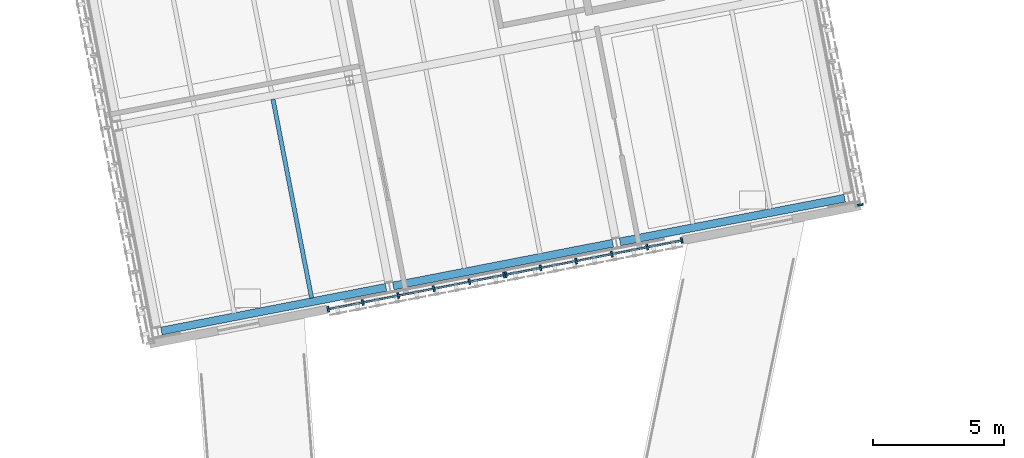
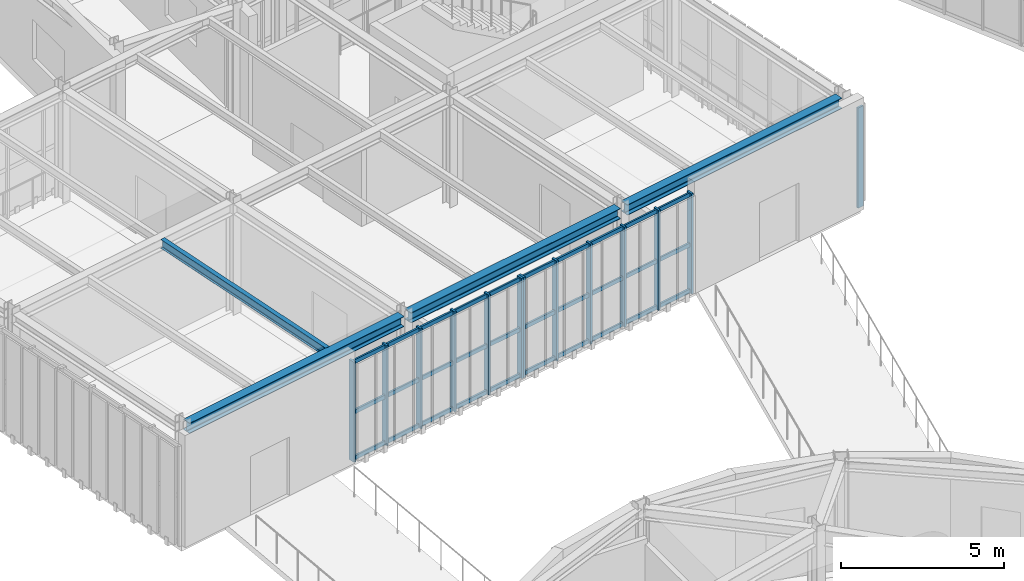
# One storey, part 35 of 103: 19 members, 4 beams, 3 elements without a shape of their own.
"""IFC4 building model written with IfcOpenShell, lengths in metres."""

import ifcopenshell
import ifcopenshell.guid

model = None  # the IFC model being written
_history = None  # IfcOwnerHistory: only IFC2X3 demands one
_inside = {}  # id of a spatial element -> (the spatial element, [elements in it])
_under = {}  # id of a project, library or spatial element -> (it, [spatial elements below it])
_declared = {}  # id of a project -> (the project, [libraries it declares])
_typed = {}  # id of a type object -> (the type object, [elements of that type])
_made_of = {}  # id of a material, layer set ... -> (it, [elements and type objects made of it])


def new_model(schema):
    """Start an empty IFC model of exactly this schema.

    Asked for "IFC4X3", IfcOpenShell would pick the latest addendum, in which some entities
    have other attributes; the version numbers below select the first issue.
    IFC2X3 requires an IfcOwnerHistory on every rooted entity: one is made here for all.
    """
    global model, _history
    if schema == "IFC4X3":
        model = ifcopenshell.file(schema_version=(4, 3, 0, 0))
    else:
        model = ifcopenshell.file(schema=schema)
    _inside.clear()
    _under.clear()
    _declared.clear()
    _typed.clear()
    _made_of.clear()
    _history = None
    if model.schema == "IFC2X3":
        org = make("IfcOrganization", Name="unknown")
        user = make(
            "IfcPersonAndOrganization",
            ThePerson=make("IfcPerson", FamilyName="unknown"),
            TheOrganization=org,
        )
        app = make(
            "IfcApplication",
            ApplicationDeveloper=org,
            Version="unknown",
            ApplicationFullName="unknown",
            ApplicationIdentifier="unknown",
        )
        _history = make(
            "IfcOwnerHistory",
            OwningUser=user,
            OwningApplication=app,
            ChangeAction="ADDED",
            CreationDate=0,
        )
    return model


def make(cls, **values):
    """One entity of the class cls with the attributes given. An attribute that is None is left unset."""
    return model.create_entity(
        cls, **{name: value for name, value in values.items() if value is not None}
    )


def rooted(cls, **values):
    """An entity with a GlobalId (a new one), such as an element, a storey or a relation."""
    return make(cls, GlobalId=ifcopenshell.guid.new(), OwnerHistory=_history, **values)


def si_unit(unit_type, name, prefix=None):
    """IfcSIUnit, for example si_unit("LENGTHUNIT", "METRE", prefix="MILLI")."""
    return make("IfcSIUnit", UnitType=unit_type, Prefix=prefix, Name=name)


def assignment(units):
    """IfcUnitAssignment: the units of a project."""
    return None if units is None else make("IfcUnitAssignment", Units=units)


def point(xyz):
    """IfcCartesianPoint."""
    return None if xyz is None else make("IfcCartesianPoint", Coordinates=xyz)


def direction(xyz):
    """IfcDirection."""
    return None if xyz is None else make("IfcDirection", DirectionRatios=xyz)


def frame(location, z_axis=None, x_axis=None):
    """IfcAxis2Placement3D, a coordinate frame: its origin and axes. An axis left out is left unset."""
    return make(
        "IfcAxis2Placement3D",
        Location=point(location),
        Axis=direction(z_axis),
        RefDirection=direction(x_axis),
    )


def frame_2d(location, x_axis=None):
    """IfcAxis2Placement2D, a coordinate frame in the plane: its origin and x axis."""
    return make(
        "IfcAxis2Placement2D", Location=point(location), RefDirection=direction(x_axis)
    )


def origin():
    """The frame at (0, 0, 0) with its axes left unset."""
    return frame((0.0, 0.0, 0.0))


def origin_2d():
    """The frame at (0, 0) in the plane with its x axis left unset."""
    return frame_2d((0.0, 0.0))


def place(relative_to, where):
    """IfcLocalPlacement: puts the frame where relative to a parent placement (None: the world)."""
    return make(
        "IfcLocalPlacement", PlacementRelTo=relative_to, RelativePlacement=where
    )


def context(
    kind, dimensions, precision=None, world=None, true_north=None, identifier=None
):
    """IfcGeometricRepresentationContext, for example the 3D "Model" context."""
    return make(
        "IfcGeometricRepresentationContext",
        ContextIdentifier=identifier,
        ContextType=kind,
        CoordinateSpaceDimension=dimensions,
        Precision=precision,
        WorldCoordinateSystem=world,
        TrueNorth=true_north,
    )


def subcontext(parent, identifier, kind, view, scale=None):
    """IfcGeometricRepresentationSubContext, for example "Body" below "Model"."""
    return make(
        "IfcGeometricRepresentationSubContext",
        ContextIdentifier=identifier,
        ContextType=kind,
        ParentContext=parent,
        TargetScale=scale,
        TargetView=view,
    )


def project(units=None, contexts=None):
    """IfcProject with its units and contexts."""
    return rooted(
        "IfcProject",
        Name="project",
        RepresentationContexts=contexts,
        UnitsInContext=assignment(units),
    )


def spatial(cls, under=None, at=None, **own):
    """A site, building, storey or space (cls), placed at a placement, below another one or the project."""
    s = rooted(cls, ObjectPlacement=at, **own)
    if under is not None:
        _under.setdefault(under.id(), (under, []))[1].append(s)
    return s


def profile(cls, at=None, kind="AREA", **sizes):
    """A parametric profile (cls). Its sizes go by their IFC names, for example OverallWidth=200.0."""
    return make(cls, ProfileType=kind, Position=at, **sizes)


def rectangle(**sizes):
    """IfcRectangleProfileDef."""
    return profile("IfcRectangleProfileDef", **sizes)


def i_section(**sizes):
    """IfcIShapeProfileDef."""
    return profile("IfcIShapeProfileDef", **sizes)


def extrude(swept, where, along, depth):
    """IfcExtrudedAreaSolid: the profile swept, set in the frame where, extruded along a direction by depth."""
    return make(
        "IfcExtrudedAreaSolid",
        SweptArea=swept,
        Position=where,
        ExtrudedDirection=direction(along),
        Depth=depth,
    )


def shape(context_of_items, identifier, shape_type, items):
    """IfcShapeRepresentation: the items that make up one representation, for example the "Body"."""
    return make(
        "IfcShapeRepresentation",
        ContextOfItems=context_of_items,
        RepresentationIdentifier=identifier,
        RepresentationType=shape_type,
        Items=items,
    )


def material(Name=None, Category=None):
    """IfcMaterial."""
    return make("IfcMaterial", Name=Name, Category=Category)


def material_profile(
    of_material, cross_section, Name=None, Category=None, Priority=None
):
    """IfcMaterialProfile: a cross section and its material."""
    return make(
        "IfcMaterialProfile",
        Name=Name,
        Material=of_material,
        Profile=cross_section,
        Priority=Priority,
        Category=Category,
    )


def profile_set(profiles, Name=None, composite=None):
    """IfcMaterialProfileSet."""
    return make(
        "IfcMaterialProfileSet",
        Name=Name,
        MaterialProfiles=profiles,
        CompositeProfile=composite,
    )


def made_of(thing, what):
    """Note that an element or type object is made of a material, layer set ...; save() writes the relation."""
    if what is not None:
        _made_of.setdefault(what.id(), (what, []))[1].append(thing)
    return thing


def type_object(cls, material=None, **own):
    """A type object (cls), such as IfcWallType, which elements share."""
    return made_of(rooted(cls, **own), material)


def element(
    cls,
    number,
    at=None,
    inside=None,
    cuts=None,
    type_object=None,
    material=None,
    context=None,
    identifier="Body",
    shape_type=None,
    held_by="IfcProductDefinitionShape",
    body=None,
    shapes=None,
    **own,
):
    """One element of the class cls, such as IfcWall. Its Tag is "e" and its number.

    at: its placement. inside: the storey or other place that contains it. cuts: it is an
    opening in that element (IfcRelVoidsElement). A single representation is given by context,
    identifier, shape_type and body (its items); several are given by shapes. held_by: the class
    of the entity that holds the representations. save() writes the other relations.
    """
    e = rooted(cls, Tag="e%d" % number, ObjectPlacement=at, **own)
    if body is not None:
        shapes = [shape(context, identifier, shape_type, body)]
    if shapes is not None:
        e.Representation = make(held_by, Representations=shapes)
    if inside is not None:
        _inside.setdefault(inside.id(), (inside, []))[1].append(e)
    if cuts is not None:
        rooted(
            "IfcRelVoidsElement", RelatingBuildingElement=cuts, RelatedOpeningElement=e
        )
    if type_object is not None:
        _typed.setdefault(type_object.id(), (type_object, []))[1].append(e)
    return made_of(e, material)


def aggregate(whole, parts):
    """IfcRelAggregates: a whole, such as a stair, and the parts it consists of."""
    return rooted("IfcRelAggregates", RelatingObject=whole, RelatedObjects=parts)


def save(model, path):
    """Write the relations noted so far, then the file.

    IfcRelAggregates (storeys below a building ...), IfcRelContainedInSpatialStructure (elements
    in a storey), IfcRelDefinesByType, IfcRelAssociatesMaterial and IfcRelDeclares: one each for
    every whole, place, type object, material and project.
    """
    for whole, parts in _under.values():
        aggregate(whole, parts)
    for where, things in _inside.values():
        rooted(
            "IfcRelContainedInSpatialStructure",
            RelatedElements=things,
            RelatingStructure=where,
        )
    for kind, things in _typed.values():
        rooted("IfcRelDefinesByType", RelatedObjects=things, RelatingType=kind)
    for what, things in _made_of.values():
        rooted("IfcRelAssociatesMaterial", RelatedObjects=things, RelatingMaterial=what)
    for by, libraries in _declared.values():
        rooted("IfcRelDeclares", RelatingContext=by, RelatedDefinitions=libraries)
    model.write(path)


model = new_model("IFC4")

# Units and contexts
model_context = context("Model", 3, precision=1e-05, world=origin(), true_north=direction((0.0, 1.0)))
body_context = subcontext(model_context, "Body", "Model", "MODEL_VIEW")
ifc_project = project(units=[si_unit("LENGTHUNIT", "METRE"), si_unit("AREAUNIT", "SQUARE_METRE"), si_unit("VOLUMEUNIT", "CUBIC_METRE"), si_unit("PLANEANGLEUNIT", "RADIAN"), si_unit("MASSUNIT", "GRAM", prefix="KILO")], contexts=[model_context])

# Site, building, storey
site_placement = place(None, origin())
site = spatial("IfcSite", under=ifc_project, at=site_placement, CompositionType="ELEMENT")
building_placement = place(site_placement, origin())
building = spatial("IfcBuilding", under=site, at=building_placement, Name="Varnklinge Art Gallery", CompositionType="ELEMENT")
storey_placement = place(building_placement, frame((0.0, 0.0, 5.10009765625)))
storey = spatial("IfcBuildingStorey", under=building, at=storey_placement, Name="L01", CompositionType="ELEMENT", Elevation=5.10009765625)

# Beam
ifc_material_1 = material(Name="Steel S355", Category="steel")
ifc_material_profile_1 = material_profile(ifc_material_1, i_section(OverallWidth=0.159912109375, OverallDepth=0.330078125, WebThickness=0.007568359375, FlangeThickness=0.011474609375, FilletRadius=0.01806640625, at=origin_2d()), Name="IPE 330")
ifc_profile_set_1 = profile_set([ifc_material_profile_1], Name="Steel S355")
beam_type_1 = type_object("IfcBeamType", Name="JST-07", PredefinedType="JOIST", material=ifc_profile_set_1)
beam_1_placement = place(storey_placement, frame((69.735595703125, 63.372314453125, 4.034912109375), z_axis=(-0.190785861445, 0.981631679946, 0.0), x_axis=(-0.981631679946, -0.190785861445, 0.0)))
element("IfcBeam", 1, at=beam_1_placement, inside=storey, type_object=beam_type_1, Name="L01 JST-07 JST-V4B-L02-0-0-2", PredefinedType="JOIST", context=body_context, shape_type="SweptSolid", body=[
    extrude(i_section(OverallWidth=0.159912109375, OverallDepth=0.330078125, WebThickness=0.007568359375, FlangeThickness=0.011474609375, FilletRadius=0.01806640625, at=origin_2d()), origin(), (0.0, 0.0, 1.0), 7.72021484375),
])

# Curtain wall, members
ifc_material_2 = material(Name="Anodised Aluminium", Category="aluminium")
curtain_wall_type_1 = type_object("IfcCurtainWallType", Name="CW-L02", PredefinedType="USERDEFINED", material=ifc_material_2)
curtain_wall_1_placement = place(storey_placement, origin())
curtain_wall_1 = element("IfcCurtainWall", 2, at=curtain_wall_1_placement, inside=storey, type_object=curtain_wall_type_1, Name="L01 Curtain Wall CW-V4B-L01-1-1-2", ObjectType="UNITISED CURTAIN WALL", PredefinedType="USERDEFINED")
ifc_material_3 = material(Name="Anodised Aluminium", Category="aluminium")
ifc_material_profile_2 = material_profile(ifc_material_3, rectangle(XDim=0.074951171875, YDim=0.219970703125, at=origin_2d()), Name="ALU 75x220")
ifc_profile_set_2 = profile_set([ifc_material_profile_2], Name="Anodised Aluminium")
member_type_1 = type_object("IfcMemberType", Name="MUL-02", PredefinedType="MULLION", material=ifc_profile_set_2)
member_1_placement = place(storey_placement, frame((70.3662109375, 62.945068359375, 0.0), z_axis=(0.0, 0.0, 1.0), x_axis=(0.981627183448, 0.190808995377, 0.0)))
member_1 = element("IfcMember", 3, at=member_1_placement, type_object=member_type_1, Name="CW-V4B-L01-1-1-2 Mullion 1", PredefinedType="MULLION", context=body_context, shape_type="SweptSolid", body=[
    extrude(rectangle(XDim=0.074951171875, YDim=0.219970703125, at=origin_2d()), origin(), (0.0, 0.0, 1.0), 3.75),
])
member_2_placement = place(storey_placement, frame((71.68408203125, 63.201171875, 0.0), z_axis=(0.0, 0.0, 1.0), x_axis=(0.981627183448, 0.190808995377, 0.0)))
member_2 = element("IfcMember", 4, at=member_2_placement, type_object=member_type_1, Name="CW-V4B-L01-1-1-2 Mullion 2", PredefinedType="MULLION", context=body_context, shape_type="SweptSolid", body=[
    extrude(rectangle(XDim=0.074951171875, YDim=0.219970703125, at=origin_2d()), origin(), (0.0, 0.0, 1.0), 3.75),
])
member_3_placement = place(storey_placement, frame((73.038818359375, 63.46435546875, 0.0), z_axis=(0.0, 0.0, 1.0), x_axis=(0.981627183448, 0.190808995377, 0.0)))
member_3 = element("IfcMember", 5, at=member_3_placement, type_object=member_type_1, Name="CW-V4B-L01-1-1-2 Mullion 3", PredefinedType="MULLION", context=body_context, shape_type="SweptSolid", body=[
    extrude(rectangle(XDim=0.074951171875, YDim=0.219970703125, at=origin_2d()), origin(), (0.0, 0.0, 1.0), 3.75),
])
member_4_placement = place(storey_placement, frame((74.3935546875, 63.727783203125, 0.0), z_axis=(0.0, 0.0, 1.0), x_axis=(0.981627183448, 0.190808995377, 0.0)))
member_4 = element("IfcMember", 6, at=member_4_placement, type_object=member_type_1, Name="CW-V4B-L01-1-1-2 Mullion 4", PredefinedType="MULLION", context=body_context, shape_type="SweptSolid", body=[
    extrude(rectangle(XDim=0.074951171875, YDim=0.219970703125, at=origin_2d()), origin(), (0.0, 0.0, 1.0), 3.75),
])
member_5_placement = place(storey_placement, frame((75.748046875, 63.9912109375, 0.0), z_axis=(0.0, 0.0, 1.0), x_axis=(0.981627183448, 0.190808995377, 0.0)))
member_5 = element("IfcMember", 7, at=member_5_placement, type_object=member_type_1, Name="CW-V4B-L01-1-1-2 Mullion 5", PredefinedType="MULLION", context=body_context, shape_type="SweptSolid", body=[
    extrude(rectangle(XDim=0.074951171875, YDim=0.219970703125, at=origin_2d()), origin(), (0.0, 0.0, 1.0), 3.75),
])
member_6_placement = place(storey_placement, frame((77.06591796875, 64.247314453125, 0.0), z_axis=(0.0, 0.0, 1.0), x_axis=(0.981627183448, 0.190808995377, 0.0)))
member_6 = element("IfcMember", 8, at=member_6_placement, type_object=member_type_1, Name="CW-V4B-L01-1-1-2 Mullion 6", PredefinedType="MULLION", context=body_context, shape_type="SweptSolid", body=[
    extrude(rectangle(XDim=0.074951171875, YDim=0.219970703125, at=origin_2d()), origin(), (0.0, 0.0, 1.0), 3.75),
])

curtain_wall_2_placement = place(storey_placement, origin())
curtain_wall_2 = element("IfcCurtainWall", 9, at=curtain_wall_2_placement, inside=storey, type_object=curtain_wall_type_1, Name="L01 Curtain Wall CW-V4B-L01-1-1-3", ObjectType="UNITISED CURTAIN WALL", PredefinedType="USERDEFINED")
member_7_placement = place(storey_placement, frame((77.1396484375, 64.26171875, 0.0), z_axis=(0.0, 0.0, 1.0), x_axis=(0.981627183448, 0.190808995377, 0.0)))
member_7 = element("IfcMember", 10, at=member_7_placement, type_object=member_type_1, Name="CW-V4B-L01-1-1-3 Mullion 1", PredefinedType="MULLION", context=body_context, shape_type="SweptSolid", body=[
    extrude(rectangle(XDim=0.074951171875, YDim=0.219970703125, at=origin_2d()), origin(), (0.0, 0.0, 1.0), 3.75),
])
member_8_placement = place(storey_placement, frame((78.45751953125, 64.517578125, 0.0), z_axis=(0.0, 0.0, 1.0), x_axis=(0.981627183448, 0.190808995377, 0.0)))
member_8 = element("IfcMember", 11, at=member_8_placement, type_object=member_type_1, Name="CW-V4B-L01-1-1-3 Mullion 2", PredefinedType="MULLION", context=body_context, shape_type="SweptSolid", body=[
    extrude(rectangle(XDim=0.074951171875, YDim=0.219970703125, at=origin_2d()), origin(), (0.0, 0.0, 1.0), 3.75),
])
member_9_placement = place(storey_placement, frame((79.81201171875, 64.781005859375, 0.0), z_axis=(0.0, 0.0, 1.0), x_axis=(0.981627183448, 0.190808995377, 0.0)))
member_9 = element("IfcMember", 12, at=member_9_placement, type_object=member_type_1, Name="CW-V4B-L01-1-1-3 Mullion 3", PredefinedType="MULLION", context=body_context, shape_type="SweptSolid", body=[
    extrude(rectangle(XDim=0.074951171875, YDim=0.219970703125, at=origin_2d()), origin(), (0.0, 0.0, 1.0), 3.75),
])
member_10_placement = place(storey_placement, frame((81.166748046875, 65.044189453125, 0.0), z_axis=(0.0, 0.0, 1.0), x_axis=(0.981627183448, 0.190808995377, 0.0)))
member_10 = element("IfcMember", 13, at=member_10_placement, type_object=member_type_1, Name="CW-V4B-L01-1-1-3 Mullion 4", PredefinedType="MULLION", context=body_context, shape_type="SweptSolid", body=[
    extrude(rectangle(XDim=0.074951171875, YDim=0.219970703125, at=origin_2d()), origin(), (0.0, 0.0, 1.0), 3.75),
])
member_11_placement = place(storey_placement, frame((82.521484375, 65.3076171875, 0.0), z_axis=(0.0, 0.0, 1.0), x_axis=(0.981627183448, 0.190808995377, 0.0)))
member_11 = element("IfcMember", 14, at=member_11_placement, type_object=member_type_1, Name="CW-V4B-L01-1-1-3 Mullion 5", PredefinedType="MULLION", context=body_context, shape_type="SweptSolid", body=[
    extrude(rectangle(XDim=0.074951171875, YDim=0.219970703125, at=origin_2d()), origin(), (0.0, 0.0, 1.0), 3.75),
])
member_12_placement = place(storey_placement, frame((83.839111328125, 65.563720703125, 0.0), z_axis=(0.0, 0.0, 1.0), x_axis=(0.981627183448, 0.190808995377, 0.0)))
member_12 = element("IfcMember", 15, at=member_12_placement, type_object=member_type_1, Name="CW-V4B-L01-1-1-3 Mullion 6", PredefinedType="MULLION", context=body_context, shape_type="SweptSolid", body=[
    extrude(rectangle(XDim=0.074951171875, YDim=0.219970703125, at=origin_2d()), origin(), (0.0, 0.0, 1.0), 3.75),
])

# Curtain wall, member
ifc_material_4 = material(Name="Anodised Aluminium", Category="aluminium")
curtain_wall_type_2 = type_object("IfcCurtainWallType", Name="CW-L06", PredefinedType="USERDEFINED", material=ifc_material_4)
curtain_wall_3_placement = place(storey_placement, origin())
curtain_wall_3 = element("IfcCurtainWall", 16, at=curtain_wall_3_placement, inside=storey, type_object=curtain_wall_type_2, Name="L01 Curtain Wall CW-V4B-L01-2-1-1", ObjectType="UNITISED CURTAIN WALL", PredefinedType="USERDEFINED")
member_13_placement = place(storey_placement, frame((90.64208984375, 66.92431640625, 0.0), z_axis=(0.0, 0.0, 1.0), x_axis=(-0.190808995377, 0.981627183448, 0.0)))
member_13 = element("IfcMember", 17, at=member_13_placement, type_object=member_type_1, Name="CW-V4B-L01-2-1-1 Mullion 1", PredefinedType="MULLION", context=body_context, shape_type="SweptSolid", body=[
    extrude(rectangle(XDim=0.074951171875, YDim=0.219970703125, at=origin_2d()), origin(), (0.0, 0.0, 1.0), 3.75),
])
aggregate(curtain_wall_3, [member_13])

# Beams
ifc_material_5 = material(Name="Steel S355", Category="steel")
ifc_material_profile_3 = material_profile(ifc_material_5, i_section(OverallWidth=0.300048828125, OverallDepth=0.389892578125, WebThickness=0.010986328125, FlangeThickness=0.01904296875, FilletRadius=0.027099609375, at=origin_2d()), Name="HEA 400")
ifc_profile_set_3 = profile_set([ifc_material_profile_3], Name="Steel S355")
beam_type_2 = type_object("IfcBeamType", Name="SPB-03", PredefinedType="SPANDREL", material=ifc_profile_set_3)
beam_2_placement = place(storey_placement, frame((64.010009765625, 62.11669921875, 4.0048828125), z_axis=(0.98162282025, 0.190831440713, 0.0), x_axis=(-0.190831440713, 0.98162282025, 0.0)))
element("IfcBeam", 18, at=beam_2_placement, inside=storey, type_object=beam_type_2, Name="L01 SPB-03 BM-V4B-L02-U0-0", PredefinedType="SPANDREL", context=body_context, shape_type="SweptSolid", body=[
    extrude(i_section(OverallWidth=0.300048828125, OverallDepth=0.389892578125, WebThickness=0.010986328125, FlangeThickness=0.01904296875, FilletRadius=0.027099609375, at=origin_2d()), origin(), (0.0, 0.0, 1.0), 8.719970703125),
])
beam_3_placement = place(storey_placement, frame((72.8447265625, 63.833984375, 4.0048828125), z_axis=(0.981626572932, 0.190812136181, 0.0), x_axis=(-0.190812136181, 0.981626572932, 0.0)))
element("IfcBeam", 19, at=beam_3_placement, inside=storey, type_object=beam_type_2, Name="L01 SPB-03 BM-V4B-L02-U0-1", PredefinedType="SPANDREL", context=body_context, shape_type="SweptSolid", body=[
    extrude(i_section(OverallWidth=0.300048828125, OverallDepth=0.389892578125, WebThickness=0.010986328125, FlangeThickness=0.01904296875, FilletRadius=0.027099609375, at=origin_2d()), origin(), (0.0, 0.0, 1.0), 8.52001953125),
])
beam_4_placement = place(storey_placement, frame((81.48291015625, 65.51318359375, 4.0048828125), z_axis=(0.981629083791, 0.190799218699, 0.0), x_axis=(-0.190799218699, 0.981629083791, 0.0)))
element("IfcBeam", 20, at=beam_4_placement, inside=storey, type_object=beam_type_2, Name="L01 SPB-03 BM-V4B-L02-U0-2", PredefinedType="SPANDREL", context=body_context, shape_type="SweptSolid", body=[
    extrude(i_section(OverallWidth=0.300048828125, OverallDepth=0.389892578125, WebThickness=0.010986328125, FlangeThickness=0.01904296875, FilletRadius=0.027099609375, at=origin_2d()), origin(), (0.0, 0.0, 1.0), 8.72021484375),
])

# Member
ifc_material_6 = material(Name="Anodised Aluminium", Category="aluminium")
ifc_material_profile_4 = material_profile(ifc_material_6, rectangle(XDim=0.06494140625, YDim=0.14990234375, at=origin_2d()), Name="ALU 65x150")
ifc_profile_set_4 = profile_set([ifc_material_profile_4], Name="Anodised Aluminium")
member_type_2 = type_object("IfcMemberType", Name="TRN-01", PredefinedType="USERDEFINED", material=ifc_profile_set_4)
member_14_placement = place(storey_placement, frame((70.3662109375, 62.945068359375, 0.074951171875), z_axis=(0.981628419203, 0.190802637855, 0.0), x_axis=(-0.190802637855, 0.981628419203, 0.0)))
member_14 = element("IfcMember", 21, at=member_14_placement, type_object=member_type_2, Name="CW-V4B-L01-1-1-2 Transom 1", ObjectType="TRANSOM", PredefinedType="USERDEFINED", context=body_context, shape_type="SweptSolid", body=[
    extrude(rectangle(XDim=0.06494140625, YDim=0.14990234375, at=origin_2d()), origin(), (0.0, 0.0, 1.0), 6.8251953125),
])

member_15_placement = place(storey_placement, frame((70.3662109375, 62.945068359375, 1.7998046875), z_axis=(0.981628419203, 0.190802637855, 0.0), x_axis=(-0.190802637855, 0.981628419203, 0.0)))
member_15 = element("IfcMember", 22, at=member_15_placement, type_object=member_type_2, Name="CW-V4B-L01-1-1-2 Transom 2", ObjectType="TRANSOM", PredefinedType="USERDEFINED", context=body_context, shape_type="SweptSolid", body=[
    extrude(rectangle(XDim=0.06494140625, YDim=0.14990234375, at=origin_2d()), origin(), (0.0, 0.0, 1.0), 6.8251953125),
])

member_16_placement = place(storey_placement, frame((70.3662109375, 62.945068359375, 3.6748046875), z_axis=(0.981628419203, 0.190802637855, 0.0), x_axis=(-0.190802637855, 0.981628419203, 0.0)))
member_16 = element("IfcMember", 23, at=member_16_placement, type_object=member_type_2, Name="CW-V4B-L01-1-1-2 Transom 3", ObjectType="TRANSOM", PredefinedType="USERDEFINED", context=body_context, shape_type="SweptSolid", body=[
    extrude(rectangle(XDim=0.06494140625, YDim=0.14990234375, at=origin_2d()), origin(), (0.0, 0.0, 1.0), 6.8251953125),
])

aggregate(curtain_wall_1, [member_1, member_2, member_3, member_4, member_5, member_6, member_14, member_15, member_16])

member_17_placement = place(storey_placement, frame((77.1396484375, 64.26171875, 0.074951171875), z_axis=(0.981633816585, 0.190774867674, 0.0), x_axis=(-0.190774867674, 0.981633816585, 0.0)))
member_17 = element("IfcMember", 24, at=member_17_placement, type_object=member_type_2, Name="CW-V4B-L01-1-1-3 Transom 1", ObjectType="TRANSOM", PredefinedType="USERDEFINED", context=body_context, shape_type="SweptSolid", body=[
    extrude(rectangle(XDim=0.06494140625, YDim=0.14990234375, at=origin_2d()), origin(), (0.0, 0.0, 1.0), 6.82470703125),
])

member_18_placement = place(storey_placement, frame((77.1396484375, 64.26171875, 1.7998046875), z_axis=(0.981633816585, 0.190774867674, 0.0), x_axis=(-0.190774867674, 0.981633816585, 0.0)))
member_18 = element("IfcMember", 25, at=member_18_placement, type_object=member_type_2, Name="CW-V4B-L01-1-1-3 Transom 2", ObjectType="TRANSOM", PredefinedType="USERDEFINED", context=body_context, shape_type="SweptSolid", body=[
    extrude(rectangle(XDim=0.06494140625, YDim=0.14990234375, at=origin_2d()), origin(), (0.0, 0.0, 1.0), 6.82470703125),
])

member_19_placement = place(storey_placement, frame((77.1396484375, 64.26171875, 3.6748046875), z_axis=(0.981633816585, 0.190774867674, 0.0), x_axis=(-0.190774867674, 0.981633816585, 0.0)))
member_19 = element("IfcMember", 26, at=member_19_placement, type_object=member_type_2, Name="CW-V4B-L01-1-1-3 Transom 3", ObjectType="TRANSOM", PredefinedType="USERDEFINED", context=body_context, shape_type="SweptSolid", body=[
    extrude(rectangle(XDim=0.06494140625, YDim=0.14990234375, at=origin_2d()), origin(), (0.0, 0.0, 1.0), 6.82470703125),
])

aggregate(curtain_wall_2, [member_7, member_8, member_9, member_10, member_11, member_12, member_17, member_18, member_19])

save(model, "model.ifc")
